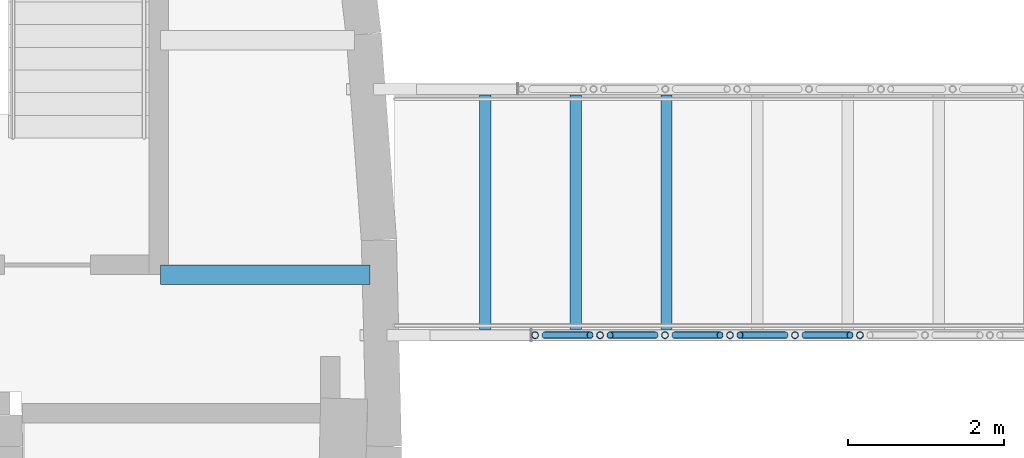
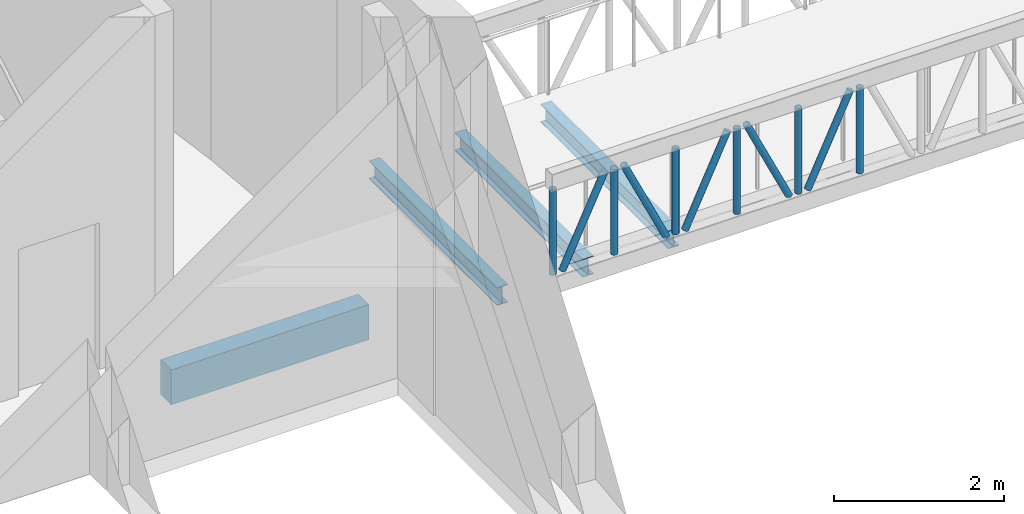
# One storey, part 31 of 93: 11 members, 4 beams.
"""IFC4 building model written with IfcOpenShell, lengths in metres."""

from ifc_helpers import new_model, si_unit, direction, frame, origin, origin_2d, place, context, subcontext, project, spatial, rectangle, hollow_circle, i_section, extrude, material, material_profile, profile_set, type_object, element, save


model = new_model("IFC4")

# Units and contexts
model_context = context("Model", 3, precision=1e-05, world=origin(), true_north=direction((0.0, 1.0)))
body_context = subcontext(model_context, "Body", "Model", "MODEL_VIEW")
ifc_project = project(units=[si_unit("LENGTHUNIT", "METRE"), si_unit("AREAUNIT", "SQUARE_METRE"), si_unit("VOLUMEUNIT", "CUBIC_METRE"), si_unit("PLANEANGLEUNIT", "RADIAN"), si_unit("MASSUNIT", "GRAM", prefix="KILO")], contexts=[model_context])

# Site, building, storey
site_placement = place(None, origin())
site = spatial("IfcSite", under=ifc_project, at=site_placement, CompositionType="ELEMENT")
building_placement = place(site_placement, origin())
building = spatial("IfcBuilding", under=site, at=building_placement, Name="Tide Square Theatres", CompositionType="ELEMENT")
storey_placement = place(building_placement, frame((0.0, 0.0, 5.39990234375)))
storey = spatial("IfcBuildingStorey", under=building, at=storey_placement, Name="L01", CompositionType="ELEMENT", Elevation=5.39990234375)

# Beams
ifc_material_1 = material(Name="Concrete C35", Category="concrete")
ifc_material_profile_1 = material_profile(ifc_material_1, rectangle(XDim=0.25, YDim=0.5, at=origin_2d()))
ifc_profile_set_1 = profile_set([ifc_material_profile_1], Name="Concrete C35")
beam_type_1 = type_object("IfcBeamType", Name="RC beam 250 x 500", PredefinedType="BEAM", material=ifc_profile_set_1)
beam_placement = place(storey_placement, frame((102.25, 57.199951171875, -0.5), z_axis=(1.0, 0.0, 0.0), x_axis=(0.0, 1.0, 0.0)))
element("IfcBeam", 1, at=beam_placement, inside=storey, type_object=beam_type_1, Name="Floor beam", PredefinedType="BEAM", context=body_context, shape_type="SweptSolid", body=[
    extrude(rectangle(XDim=0.25, YDim=0.5, at=origin_2d()), origin(), (0.0, 0.0, 1.0), 2.680908203125),
])
ifc_material_2 = material(Name="Steel ASTM A572 Grade 50", Category="steel")
ifc_material_profile_2 = material_profile(ifc_material_2, i_section(OverallWidth=0.14599609375, OverallDepth=0.258056640625, WebThickness=0.006103515625, FlangeThickness=0.009033203125, FilletRadius=0.010009765625, at=origin_2d()))
ifc_profile_set_2 = profile_set([ifc_material_profile_2], Name="Steel ASTM A572 Grade 50")
beam_type_2 = type_object("IfcBeamType", Name="Steel beam W 250 x 32.7", PredefinedType="BEAM", material=ifc_profile_set_2)
for number, where, z_axis, x_axis, name in (
    (2, (108.7275390625, 59.5, -0.27978515625), (0.0, -1.0, 0.0), (1.0, 0.0, 0.0), "Bridge BR-E1 cross beam"),
    (3, (107.56640625, 59.5, -0.27978515625), (0.0, -1.0, 0.0), (1.0, 0.0, 0.0), "Bridge BR-E1 cross beam"),
    (4, (106.4052734375, 59.5, -0.27978515625), (0.0, -1.0, 0.0), (1.0, 0.0, 0.0), "Bridge BR-E1 cross beam"),
):
    element("IfcBeam", number, at=place(storey_placement, frame(where, z_axis=z_axis, x_axis=x_axis)), inside=storey, type_object=beam_type_2, Name=name, PredefinedType="BEAM", context=body_context, shape_type="SweptSolid", body=[
        extrude(i_section(OverallWidth=0.14599609375, OverallDepth=0.258056640625, WebThickness=0.006103515625, FlangeThickness=0.009033203125, FilletRadius=0.010009765625, at=origin_2d()), origin(), (0.0, 0.0, 1.0), 3.0),
    ])

# Members
ifc_material_3 = material(Name="Steel ASTM A500 Grade C", Category="steel")
ifc_material_profile_3 = material_profile(ifc_material_3, hollow_circle(Radius=0.04443359375, WallThickness=0.0048828125, at=origin_2d()))
ifc_profile_set_3 = profile_set([ifc_material_profile_3], Name="Steel ASTM A500 Grade C")
member_type_1 = type_object("IfcMemberType", Name="Steel brace CHS 88.9 x 5.0", PredefinedType="BRACE", material=ifc_profile_set_3)
for number, where, z_axis, x_axis, name in (
    (5, (111.076416015625, 56.425048828125, 1.0751953125), (-0.426326523508, 0.0, -0.904569342479), (0.0, -1.0, 0.0), "Bridge BR-E1 diagonal"),
    (6, (110.244384765625, 56.425048828125, -0.14990234375), (-0.426179005514, 0.0, 0.904638853498), (0.0, -1.0, 0.0), "Bridge BR-E1 diagonal"),
    (7, (109.41259765625, 56.425048828125, 1.0751953125), (-0.426179005514, 0.0, -0.904638853498), (0.0, -1.0, 0.0), "Bridge BR-E1 diagonal"),
    (8, (108.580810546875, 56.425048828125, -0.14990234375), (-0.426179005514, 0.0, 0.904638853498), (0.0, -1.0, 0.0), "Bridge BR-E1 diagonal"),
    (9, (107.7490234375, 56.425048828125, 1.0751953125), (-0.426179005514, 0.0, -0.904638853498), (0.0, -1.0, 0.0), "Bridge BR-E1 diagonal"),
):
    element("IfcMember", number, at=place(storey_placement, frame(where, z_axis=z_axis, x_axis=x_axis)), inside=storey, type_object=member_type_1, Name=name, PredefinedType="BRACE", context=body_context, shape_type="SweptSolid", body=[
        extrude(hollow_circle(Radius=0.04443359375, WallThickness=0.0048828125, at=origin_2d()), origin(), (0.0, 0.0, 1.0), 1.354248046875),
    ])
ifc_material_4 = material(Name="Steel ASTM A500 Grade C", Category="steel")
ifc_material_profile_4 = material_profile(ifc_material_4, hollow_circle(Radius=0.04443359375, WallThickness=0.0048828125, at=origin_2d()))
ifc_profile_set_4 = profile_set([ifc_material_profile_4], Name="Steel ASTM A500 Grade C")
member_type_2 = type_object("IfcMemberType", Name="Steel strut CHS 88.9 x 5.0", PredefinedType="STRUT", material=ifc_profile_set_4)
for number, where, z_axis, x_axis, name in (
    (10, (111.20361328125, 56.425048828125, -0.14990234375), (0.0, 0.0, 1.0), (1.0, 0.0, 0.0), "Bridge BR-E1 post"),
    (11, (110.371826171875, 56.425048828125, -0.14990234375), (0.0, 0.0, 1.0), (1.0, 0.0, 0.0), "Bridge BR-E1 post"),
    (12, (109.539794921875, 56.425048828125, -0.14990234375), (0.0, 0.0, 1.0), (1.0, 0.0, 0.0), "Bridge BR-E1 post"),
    (13, (108.7080078125, 56.425048828125, -0.14990234375), (0.0, 0.0, 1.0), (1.0, 0.0, 0.0), "Bridge BR-E1 post"),
    (14, (107.876220703125, 56.425048828125, -0.14990234375), (0.0, 0.0, 1.0), (1.0, 0.0, 0.0), "Bridge BR-E1 post"),
    (15, (107.04443359375, 56.425048828125, -0.14990234375), (0.0, 0.0, 1.0), (1.0, 0.0, 0.0), "Bridge BR-E1 post"),
):
    element("IfcMember", number, at=place(storey_placement, frame(where, z_axis=z_axis, x_axis=x_axis)), inside=storey, type_object=member_type_2, Name=name, PredefinedType="STRUT", context=body_context, shape_type="SweptSolid", body=[
        extrude(hollow_circle(Radius=0.04443359375, WallThickness=0.0048828125, at=origin_2d()), origin(), (0.0, 0.0, 1.0), 1.22509765625),
    ])

save(model, "model.ifc")
